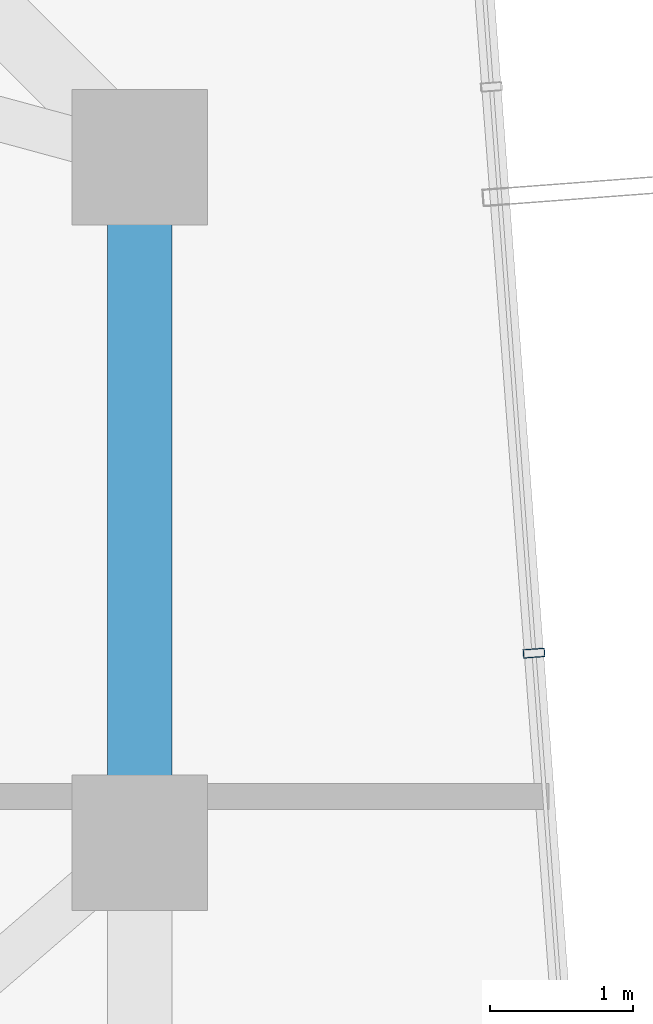
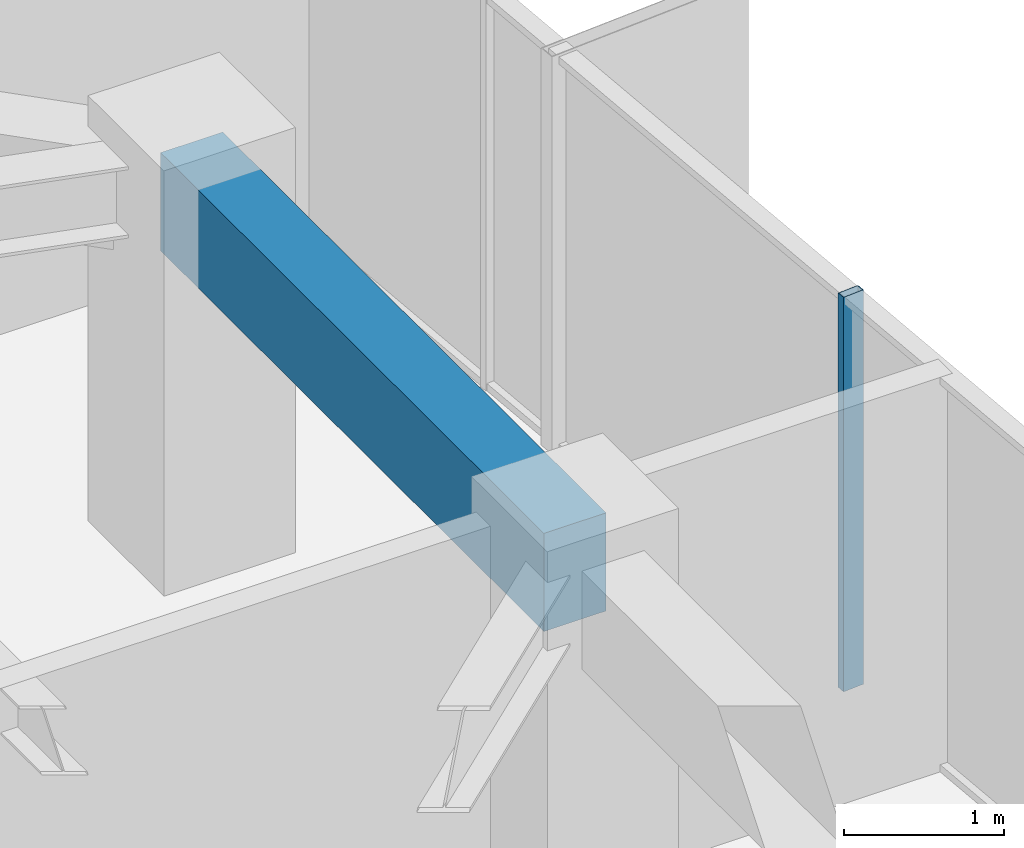
# One storey, part 20 of 34: 1 beam, 1 member, 1 element without a shape of its own.
"""IFC4 building model written with IfcOpenShell, lengths in metres."""

from ifc_helpers import new_model, si_unit, direction, frame, origin, origin_2d, place, context, subcontext, project, spatial, rectangle, hollow_rectangle, extrude, source, transform, mapped, material, layer, layer_set, material_profile, profile_set, type_object, element, aggregate, save


model = new_model("IFC4")

# Units and contexts
model_context = context("Model", 3, precision=1e-05, world=origin(), true_north=direction((0.0, 1.0)))
body_context = subcontext(model_context, "Body", "Model", "MODEL_VIEW")
ifc_project = project(units=[si_unit("LENGTHUNIT", "METRE"), si_unit("AREAUNIT", "SQUARE_METRE"), si_unit("VOLUMEUNIT", "CUBIC_METRE"), si_unit("PLANEANGLEUNIT", "RADIAN"), si_unit("MASSUNIT", "GRAM", prefix="KILO")], contexts=[model_context])

# Site, building, storey
site_placement = place(None, origin())
site = spatial("IfcSite", under=ifc_project, at=site_placement, CompositionType="ELEMENT")
building_placement = place(site_placement, origin())
building = spatial("IfcBuilding", under=site, at=building_placement, Name="Veraguas Prism Commons", CompositionType="ELEMENT")
storey_placement = place(building_placement, frame((0.0, 0.0, 191.85009765625)))
storey = spatial("IfcBuildingStorey", under=building, at=storey_placement, Name="L54", CompositionType="ELEMENT", Elevation=191.85009765625)

# Beam
ifc_material_1 = material(Name="Concrete C50/60", Category="concrete")
ifc_material_profile_1 = material_profile(ifc_material_1, rectangle(XDim=0.449951171875, YDim=0.75, at=origin_2d()), Name="RC450X750")
ifc_profile_set_1 = profile_set([ifc_material_profile_1], Name="Concrete C50/60")
beam_type = type_object("IfcBeamType", Name="Perimeter Spandrel Upper RC 450x750", PredefinedType="SPANDREL", material=ifc_profile_set_1)
beam_placement = place(storey_placement, frame((38.89990234375, 24.0, 2.639892578125), z_axis=(0.0, 1.0, 0.0), x_axis=(-1.0, 0.0, 0.0)))
element("IfcBeam", 1, at=beam_placement, inside=storey, type_object=beam_type, Name="Perimeter Spandrel Beam L54-SP02", PredefinedType="SPANDREL", context=body_context, shape_type="SweptSolid", body=[
    extrude(rectangle(XDim=0.449951171875, YDim=0.75, at=origin_2d()), origin(), (0.0, 0.0, 1.0), 4.800048828125),
])

# Curtain wall, member
ifc_material_2 = material(Name="Anodised aluminium EN AW-6063 T6", Category="aluminium")
ifc_layer = layer(ifc_material_2, 0.14990234375, Name="Unitised Flush Curtain Wall Zone 3", Category="aluminium")
ifc_layer_set = layer_set([ifc_layer], Name="Anodised aluminium EN AW-6063 T6")
curtain_wall_type = type_object("IfcCurtainWallType", Name="Unitised Flush Curtain Wall Zone 3", PredefinedType="NOTDEFINED", material=ifc_layer_set)
curtain_wall_placement = place(storey_placement, origin())
curtain_wall = element("IfcCurtainWall", 2, at=curtain_wall_placement, inside=storey, type_object=curtain_wall_type, Name="Tower Facade Curtain Wall L54-F6", PredefinedType="NOTDEFINED")
ifc_material_profile_2 = material_profile(ifc_material_2, hollow_rectangle(XDim=0.06005859375, YDim=0.14990234375, WallThickness=0.0029296875, at=origin_2d()), Name="AL60X150X3")
ifc_profile_set_2 = profile_set([ifc_material_profile_2], Name="Anodised aluminium EN AW-6063 T6")
member_type = type_object("IfcMemberType", Name="Curtain Wall Mullion Upper AL 60x150x3", PredefinedType="MULLION", material=ifc_profile_set_2)
shared_shape = source(origin(), body_context, "Body", "SweptSolid", [
    extrude(hollow_rectangle(XDim=0.06005859375, YDim=0.14990234375, WallThickness=0.0029296875, at=origin_2d()), origin(), (0.0, 0.0, 1.0), 3.014892578125),
])
member_placement = place(storey_placement, frame((41.660400390625, 25.327880859375, 0.0), z_axis=(0.0, 0.0, 1.0), x_axis=(-0.074975245993, 0.997185395244, 0.0)))
member = element("IfcMember", 3, at=member_placement, type_object=member_type, Name="CW-Z3 Mullion 3", PredefinedType="MULLION", context=body_context, shape_type="MappedRepresentation", body=[
    mapped(shared_shape, transform((0.0, 0.0, 0.0), scale=1.0)),
])
aggregate(curtain_wall, [member])

save(model, "model.ifc")
